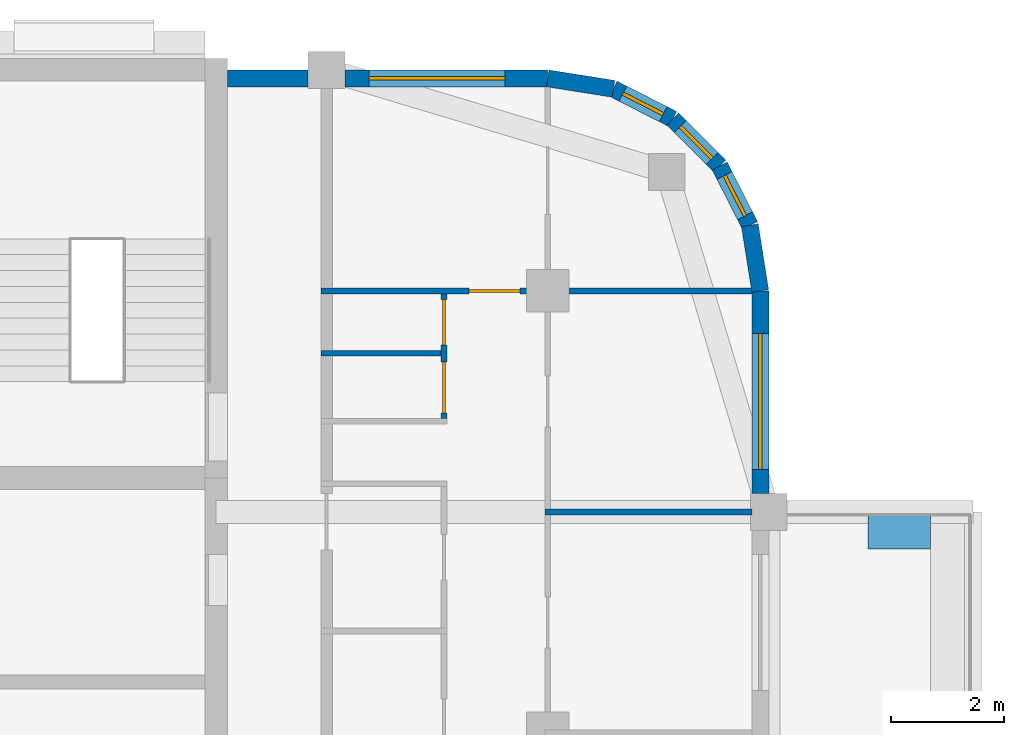
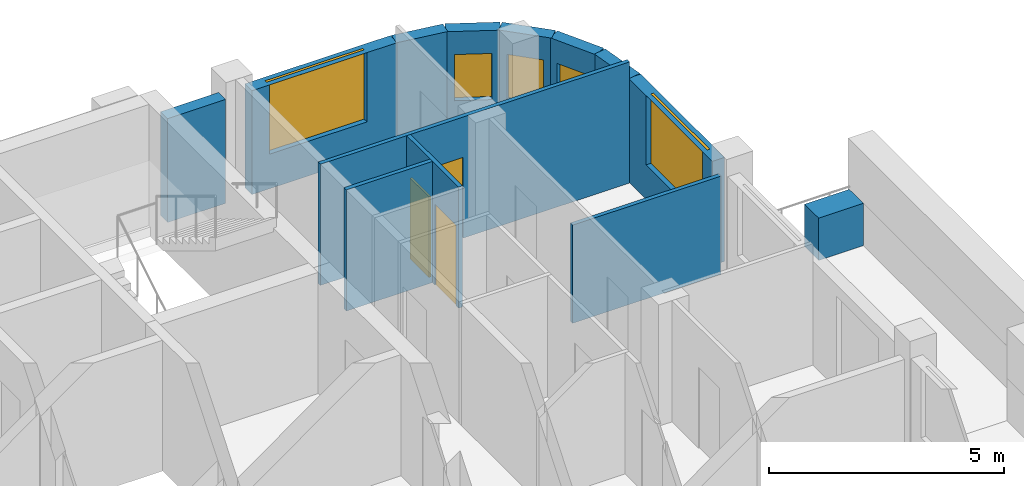
# One storey, part 9 of 13: 13 walls, 5 windows, 3 doors, 8 openings.
"""IFC4 building model written with IfcOpenShell, lengths in metres."""

from ifc_helpers import new_model, si_unit, direction, frame, frame_2d, origin, place, context, subcontext, project, spatial, rectangle, extrude, material, layer, layer_set, type_object, element, fill, save


model = new_model("IFC4")

# Units and contexts
model_context = context("Model", 3, precision=1e-05, world=origin(), true_north=direction((0.0, 1.0)))
body_context = subcontext(model_context, "Body", "Model", "MODEL_VIEW")
ifc_project = project(units=[si_unit("LENGTHUNIT", "METRE"), si_unit("AREAUNIT", "SQUARE_METRE"), si_unit("VOLUMEUNIT", "CUBIC_METRE"), si_unit("PLANEANGLEUNIT", "RADIAN"), si_unit("MASSUNIT", "GRAM", prefix="KILO")], contexts=[model_context])

# Site, building, storey
site_placement = place(None, origin())
site = spatial("IfcSite", under=ifc_project, at=site_placement, CompositionType="ELEMENT")
building_placement = place(site_placement, origin())
building = spatial("IfcBuilding", under=site, at=building_placement, Name="Ludao Terraces", CompositionType="ELEMENT")
storey_placement = place(building_placement, frame((0.0, 0.0, 252.800048828125)))
storey = spatial("IfcBuildingStorey", under=building, at=storey_placement, Name="L69", CompositionType="ELEMENT", Elevation=252.800048828125)

# Wall
ifc_material_1 = material(Name="Concrete C40", Category="concrete")
ifc_layer_1 = layer(ifc_material_1, 0.60009765625)
ifc_layer_set_1 = layer_set([ifc_layer_1], Name="ENV Planter trough 600")
wall_type_1 = type_object("IfcWallType", Name="ENV Planter trough 600", PredefinedType="USERDEFINED", material=ifc_layer_set_1)
wall_1_placement = place(storey_placement, frame((107.35009765625, 76.35009765625, 0.0), z_axis=(0.0, 0.0, 1.0), x_axis=(-1.0, 0.0, 0.0)))
element("IfcWall", 1, at=wall_1_placement, inside=storey, type_object=wall_type_1, Name="PL-L69-E3-SB", ObjectType="PLANTER", PredefinedType="USERDEFINED", context=body_context, shape_type="SweptSolid", body=[
    extrude(rectangle(XDim=1.10009765625, YDim=0.60009765625, at=frame_2d((0.550048828125, 0.0))), origin(), (0.0, 0.0, 1.0), 1.099853515625),
])

# Wall, opening, window
ifc_material_2 = material(Name="Granite cladding", Category="masonry")
ifc_layer_2 = layer(ifc_material_2, 0.0400390625, Category="stone")
ifc_material_3 = material(Name="Mineral wool")
ifc_layer_3 = layer(ifc_material_3, 0.06005859375)
ifc_layer_4 = layer(ifc_material_1, 0.199951171875, Category="concrete")
ifc_layer_set_2 = layer_set([ifc_layer_2, ifc_layer_3, ifc_layer_4], Name="ENV Stone-clad wall 300")
wall_type_2 = type_object("IfcWallType", Name="ENV Stone-clad wall 300", PredefinedType="SOLIDWALL", material=ifc_layer_set_2)
wall_2_placement = place(storey_placement, frame((104.35009765625, 77.02490234375, 0.0), z_axis=(0.0, 0.0, 1.0), x_axis=(0.0, 1.0, 0.0)))
wall_2 = element("IfcWall", 2, at=wall_2_placement, inside=storey, type_object=wall_type_2, Name="EW-L69-E5", PredefinedType="SOLIDWALL", context=body_context, shape_type="SweptSolid", body=[
    extrude(rectangle(XDim=3.5751953125, YDim=0.300048828125, at=frame_2d((1.78759765625, 0.0))), origin(), (0.0, 0.0, 1.0), 2.699951171875),
])
opening_1_placement = place(wall_2_placement, frame((0.425048828125, 0.0, 0.89990234375)))
opening_1 = element("IfcOpeningElement", 3, at=opening_1_placement, cuts=wall_2, Name="Opening W1", PredefinedType="OPENING", context=body_context, shape_type="SweptSolid", body=[
    extrude(rectangle(XDim=2.39990234375, YDim=1.800048828125, at=frame_2d((1.199951171875, 0.89990234375))), frame((0.0, 0.16015625, 0.0), z_axis=(0.0, -1.0, 0.0), x_axis=(1.0, 0.0, 0.0)), (0.0, 0.0, 1.0), 0.320068359375),
])
ifc_material_4 = material(Name="Clear glass in aluminium frame", Category="aluminium")
ifc_layer_5 = layer(ifc_material_4, 0.06005859375)
ifc_layer_set_3 = layer_set([ifc_layer_5], Name="ENV Window W1 2400x1800")
window_type_1 = type_object("IfcWindowType", Name="ENV Window W1 2400x1800", PartitioningType="DOUBLE_PANEL_VERTICAL", PredefinedType="WINDOW", material=ifc_layer_set_3)
window_1_placement = place(opening_1_placement, origin())
window_1 = element("IfcWindow", 4, at=window_1_placement, inside=storey, type_object=window_type_1, Name="W-L69-E5-1", OverallHeight=1.800048828125, OverallWidth=2.39990234375, PartitioningType="DOUBLE_PANEL_VERTICAL", PredefinedType="WINDOW", context=body_context, shape_type="SweptSolid", body=[
    extrude(rectangle(XDim=2.39990234375, YDim=1.800048828125, at=frame_2d((1.199951171875, 0.89990234375))), frame((0.0, 0.030029296875, 0.0), z_axis=(0.0, -1.0, 0.0), x_axis=(1.0, 0.0, 0.0)), (0.0, 0.0, 1.0), 0.06005859375),
])
fill(opening_1, window_1)

# Wall
wall_3_placement = place(storey_placement, frame((94.949951171875, 84.35009765625, 0.0), z_axis=(0.0, 0.0, 1.0), x_axis=(1.0, 0.0, 0.0)))
element("IfcWall", 5, at=wall_3_placement, inside=storey, type_object=wall_type_2, Name="EW-L69-N3", PredefinedType="SOLIDWALL", context=body_context, shape_type="SweptSolid", body=[
    extrude(rectangle(XDim=1.425048828125, YDim=0.300048828125, at=frame_2d((0.71240234375, 0.0))), origin(), (0.0, 0.0, 1.0), 2.699951171875),
])

# Wall, opening, window
wall_4_placement = place(storey_placement, frame((97.02490234375, 84.35009765625, 0.0), z_axis=(0.0, 0.0, 1.0), x_axis=(1.0, 0.0, 0.0)))
wall_4 = element("IfcWall", 6, at=wall_4_placement, inside=storey, type_object=wall_type_2, Name="EW-L69-N4", PredefinedType="SOLIDWALL", context=body_context, shape_type="SweptSolid", body=[
    extrude(rectangle(XDim=3.5751953125, YDim=0.300048828125, at=frame_2d((1.78759765625, 0.0))), origin(), (0.0, 0.0, 1.0), 2.699951171875),
])
opening_2_placement = place(wall_4_placement, frame((0.425048828125, 0.0, 0.89990234375)))
opening_2 = element("IfcOpeningElement", 7, at=opening_2_placement, cuts=wall_4, Name="Opening W1", PredefinedType="OPENING", context=body_context, shape_type="SweptSolid", body=[
    extrude(rectangle(XDim=2.39990234375, YDim=1.800048828125, at=frame_2d((1.199951171875, 0.89990234375))), frame((0.0, 0.16015625, 0.0), z_axis=(0.0, -1.0, 0.0), x_axis=(1.0, 0.0, 0.0)), (0.0, 0.0, 1.0), 0.320068359375),
])
window_2_placement = place(opening_2_placement, origin())
window_2 = element("IfcWindow", 8, at=window_2_placement, inside=storey, type_object=window_type_1, Name="W-L69-N4-1", OverallHeight=1.800048828125, OverallWidth=2.39990234375, PartitioningType="DOUBLE_PANEL_VERTICAL", PredefinedType="WINDOW", context=body_context, shape_type="SweptSolid", body=[
    extrude(rectangle(XDim=2.39990234375, YDim=1.800048828125, at=frame_2d((1.199951171875, 0.89990234375))), frame((0.0, 0.030029296875, 0.0), z_axis=(0.0, -1.0, 0.0), x_axis=(1.0, 0.0, 0.0)), (0.0, 0.0, 1.0), 0.06005859375),
])
fill(opening_2, window_2)

# Wall
wall_5_placement = place(storey_placement, frame((104.35009765625, 80.60009765625, 0.0), z_axis=(0.0, 0.0, 1.0), x_axis=(-0.156496880861, 0.987678452879, 0.0)))
element("IfcWall", 9, at=wall_5_placement, inside=storey, type_object=wall_type_2, Name="EW-L69-NE1", PredefinedType="SOLIDWALL", context=body_context, shape_type="SweptSolid", body=[
    extrude(rectangle(XDim=1.173095703125, YDim=0.300048828125, at=frame_2d((0.58642578125, 0.0))), origin(), (0.0, 0.0, 1.0), 2.699951171875),
])

# Wall, opening, window
wall_6_placement = place(storey_placement, frame((104.16650390625, 81.7587890625, 0.0), z_axis=(0.0, 0.0, 1.0), x_axis=(-0.454025524128, 0.890988677504, 0.0)))
wall_6 = element("IfcWall", 10, at=wall_6_placement, inside=storey, type_object=wall_type_2, Name="EW-L69-NE2", PredefinedType="SOLIDWALL", context=body_context, shape_type="SweptSolid", body=[
    extrude(rectangle(XDim=1.17333984375, YDim=0.300048828125, at=frame_2d((0.586669921875, 0.0))), origin(), (0.0, 0.0, 1.0), 2.699951171875),
])
opening_3_placement = place(wall_6_placement, frame((0.1865234375, 0.0, 0.89990234375)))
opening_3 = element("IfcOpeningElement", 11, at=opening_3_placement, cuts=wall_6, Name="Opening W3", PredefinedType="OPENING", context=body_context, shape_type="SweptSolid", body=[
    extrude(rectangle(XDim=0.800048828125, YDim=1.199951171875, at=frame_2d((0.39990234375, 0.60009765625))), frame((0.0, 0.16015625, 0.0), z_axis=(0.0, -1.0, 0.0), x_axis=(1.0, 0.0, 0.0)), (0.0, 0.0, 1.0), 0.320068359375),
])
ifc_layer_6 = layer(ifc_material_4, 0.06005859375)
ifc_layer_set_4 = layer_set([ifc_layer_6], Name="ENV Window W3 800x1200")
window_type_2 = type_object("IfcWindowType", Name="ENV Window W3 800x1200", PartitioningType="SINGLE_PANEL", PredefinedType="WINDOW", material=ifc_layer_set_4)
window_3_placement = place(opening_3_placement, origin())
window_3 = element("IfcWindow", 12, at=window_3_placement, inside=storey, type_object=window_type_2, Name="W-L69-NE2", OverallHeight=1.199951171875, OverallWidth=0.800048828125, PartitioningType="SINGLE_PANEL", PredefinedType="WINDOW", context=body_context, shape_type="SweptSolid", body=[
    extrude(rectangle(XDim=0.800048828125, YDim=1.199951171875, at=frame_2d((0.39990234375, 0.60009765625))), frame((0.0, 0.030029296875, 0.0), z_axis=(0.0, -1.0, 0.0), x_axis=(1.0, 0.0, 0.0)), (0.0, 0.0, 1.0), 0.06005859375),
])
fill(opening_3, window_3)

wall_7_placement = place(storey_placement, frame((103.6337890625, 82.80419921875, 0.0), z_axis=(0.0, 0.0, 1.0), x_axis=(-0.707106781187, 0.707106781187, 0.0)))
wall_7 = element("IfcWall", 13, at=wall_7_placement, inside=storey, type_object=wall_type_2, Name="EW-L69-NE3", PredefinedType="SOLIDWALL", context=body_context, shape_type="SweptSolid", body=[
    extrude(rectangle(XDim=1.173095703125, YDim=0.300048828125, at=frame_2d((0.58642578125, 0.0))), origin(), (0.0, 0.0, 1.0), 2.699951171875),
])
opening_4_placement = place(wall_7_placement, frame((0.1865234375, 0.0, 0.89990234375)))
opening_4 = element("IfcOpeningElement", 14, at=opening_4_placement, cuts=wall_7, Name="Opening W3", PredefinedType="OPENING", context=body_context, shape_type="SweptSolid", body=[
    extrude(rectangle(XDim=0.800048828125, YDim=1.199951171875, at=frame_2d((0.39990234375, 0.60009765625))), frame((0.0, 0.16015625, 0.0), z_axis=(0.0, -1.0, 0.0), x_axis=(1.0, 0.0, 0.0)), (0.0, 0.0, 1.0), 0.320068359375),
])
window_4_placement = place(opening_4_placement, origin())
window_4 = element("IfcWindow", 15, at=window_4_placement, inside=storey, type_object=window_type_2, Name="W-L69-NE3", OverallHeight=1.199951171875, OverallWidth=0.800048828125, PartitioningType="SINGLE_PANEL", PredefinedType="WINDOW", context=body_context, shape_type="SweptSolid", body=[
    extrude(rectangle(XDim=0.800048828125, YDim=1.199951171875, at=frame_2d((0.39990234375, 0.60009765625))), frame((0.0, 0.030029296875, 0.0), z_axis=(0.0, -1.0, 0.0), x_axis=(1.0, 0.0, 0.0)), (0.0, 0.0, 1.0), 0.06005859375),
])
fill(opening_4, window_4)

wall_8_placement = place(storey_placement, frame((102.80419921875, 83.6337890625, 0.0), z_axis=(0.0, 0.0, 1.0), x_axis=(-0.890988677504, 0.454025524128, 0.0)))
wall_8 = element("IfcWall", 16, at=wall_8_placement, inside=storey, type_object=wall_type_2, Name="EW-L69-NE4", PredefinedType="SOLIDWALL", context=body_context, shape_type="SweptSolid", body=[
    extrude(rectangle(XDim=1.17333984375, YDim=0.300048828125, at=frame_2d((0.586669921875, 0.0))), origin(), (0.0, 0.0, 1.0), 2.699951171875),
])
opening_5_placement = place(wall_8_placement, frame((0.1865234375, 0.0, 0.89990234375)))
opening_5 = element("IfcOpeningElement", 17, at=opening_5_placement, cuts=wall_8, Name="Opening W3", PredefinedType="OPENING", context=body_context, shape_type="SweptSolid", body=[
    extrude(rectangle(XDim=0.800048828125, YDim=1.199951171875, at=frame_2d((0.39990234375, 0.60009765625))), frame((0.0, 0.16015625, 0.0), z_axis=(0.0, -1.0, 0.0), x_axis=(1.0, 0.0, 0.0)), (0.0, 0.0, 1.0), 0.320068359375),
])
window_5_placement = place(opening_5_placement, origin())
window_5 = element("IfcWindow", 18, at=window_5_placement, inside=storey, type_object=window_type_2, Name="W-L69-NE4", OverallHeight=1.199951171875, OverallWidth=0.800048828125, PartitioningType="SINGLE_PANEL", PredefinedType="WINDOW", context=body_context, shape_type="SweptSolid", body=[
    extrude(rectangle(XDim=0.800048828125, YDim=1.199951171875, at=frame_2d((0.39990234375, 0.60009765625))), frame((0.0, 0.030029296875, 0.0), z_axis=(0.0, -1.0, 0.0), x_axis=(1.0, 0.0, 0.0)), (0.0, 0.0, 1.0), 0.06005859375),
])
fill(opening_5, window_5)

# Walls
wall_9_placement = place(storey_placement, frame((101.7587890625, 84.16650390625, 0.0), z_axis=(0.0, 0.0, 1.0), x_axis=(-0.987678452879, 0.156496880861, 0.0)))
element("IfcWall", 19, at=wall_9_placement, inside=storey, type_object=wall_type_2, Name="EW-L69-NE5", PredefinedType="SOLIDWALL", context=body_context, shape_type="SweptSolid", body=[
    extrude(rectangle(XDim=1.173095703125, YDim=0.300048828125, at=frame_2d((0.58642578125, 0.0))), origin(), (0.0, 0.0, 1.0), 2.699951171875),
])
ifc_material_5 = material(Name="Gypsum plasterboard", Category="gypsum")
ifc_layer_7 = layer(ifc_material_5, 0.012451171875, Category="gypsum")
ifc_layer_8 = layer(ifc_material_3, 0.06005859375, Name="insulation")
ifc_material_6 = material(Name="Steel Q235", Category="steel")
ifc_layer_9 = layer(ifc_material_6, 0.014892578125, Name="stud")
ifc_layer_10 = layer(ifc_material_5, 0.012451171875, Category="gypsum")
ifc_layer_set_5 = layer_set([ifc_layer_7, ifc_layer_8, ifc_layer_9, ifc_layer_10], Name="INT Partition 100")
wall_type_3 = type_object("IfcWallType", Name="INT Partition 100", PredefinedType="PARTITIONING", material=ifc_layer_set_5)
wall_10_placement = place(storey_placement, frame((100.550048828125, 76.699951171875, 0.0), z_axis=(0.0, 0.0, 1.0), x_axis=(1.0, 0.0, 0.0)))
element("IfcWall", 20, at=wall_10_placement, inside=storey, type_object=wall_type_3, Name="PW-L69-PW042", PredefinedType="PARTITIONING", context=body_context, shape_type="SweptSolid", body=[
    extrude(rectangle(XDim=3.650146484375, YDim=0.10009765625, at=frame_2d((1.8251953125, 0.0))), origin(), (0.0, 0.0, 1.0), 2.5498046875),
])
wall_11_placement = place(storey_placement, frame((96.60009765625, 79.5, 0.0), z_axis=(0.0, 0.0, 1.0), x_axis=(1.0, 0.0, 0.0)))
element("IfcWall", 21, at=wall_11_placement, inside=storey, type_object=wall_type_3, Name="PW-L69-PW047", PredefinedType="PARTITIONING", context=body_context, shape_type="SweptSolid", body=[
    extrude(rectangle(XDim=2.219970703125, YDim=0.10009765625, at=frame_2d((1.10986328125, 0.0))), origin(), (0.0, 0.0, 1.0), 3.14990234375),
])

# Wall, opening, door
wall_12_placement = place(storey_placement, frame((96.60009765625, 80.60009765625, 0.0), z_axis=(0.0, 0.0, 1.0), x_axis=(1.0, 0.0, 0.0)))
wall_12 = element("IfcWall", 22, at=wall_12_placement, inside=storey, type_object=wall_type_3, Name="PW-L69-PW049", PredefinedType="PARTITIONING", context=body_context, shape_type="SweptSolid", body=[
    extrude(rectangle(XDim=7.60009765625, YDim=0.10009765625, at=frame_2d((3.800048828125, 0.0))), origin(), (0.0, 0.0, 1.0), 3.14990234375),
])
opening_6_placement = place(wall_12_placement, frame((2.610107421875, 0.0, 0.0)))
opening_6 = element("IfcOpeningElement", 23, at=opening_6_placement, cuts=wall_12, Name="Opening R25-089", PredefinedType="OPENING", context=body_context, shape_type="SweptSolid", body=[
    extrude(rectangle(XDim=0.89990234375, YDim=2.10009765625, at=frame_2d((0.449951171875, 1.050048828125))), frame((0.0, 0.06005859375, 0.0), z_axis=(0.0, -1.0, 0.0), x_axis=(1.0, 0.0, 0.0)), (0.0, 0.0, 1.0), 0.1201171875),
])
ifc_material_7 = material(Name="Timber door leaf", Category="wood")
door_type_1 = type_object("IfcDoorType", Name="INT Room door 900", OperationType="SINGLE_SWING_LEFT", PredefinedType="DOOR", material=ifc_material_7)
door_1_placement = place(opening_6_placement, origin())
door_1 = element("IfcDoor", 24, at=door_1_placement, inside=storey, type_object=door_type_1, Name="DOOR 089", OperationType="SINGLE_SWING_RIGHT", OverallHeight=2.10009765625, OverallWidth=0.89990234375, PredefinedType="DOOR", context=body_context, shape_type="SweptSolid", body=[
    extrude(rectangle(XDim=0.89990234375, YDim=2.10009765625, at=frame_2d((0.449951171875, 1.050048828125))), frame((0.0, 0.02490234375, 0.0), z_axis=(0.0, -1.0, 0.0), x_axis=(1.0, 0.0, 0.0)), (0.0, 0.0, 1.0), 0.050048828125),
])
fill(opening_6, door_1)

# Wall, openings, doors
wall_13_placement = place(storey_placement, frame((98.77001953125, 78.35009765625, 0.0), z_axis=(0.0, 0.0, 1.0), x_axis=(0.0, 1.0, 0.0)))
wall_13 = element("IfcWall", 25, at=wall_13_placement, inside=storey, type_object=wall_type_3, Name="PW-L69-PW064", PredefinedType="PARTITIONING", context=body_context, shape_type="SweptSolid", body=[
    extrude(rectangle(XDim=2.199951171875, YDim=0.10009765625, at=frame_2d((1.10009765625, 0.0))), origin(), (0.0, 0.0, 1.0), 3.14990234375),
])
opening_7_placement = place(wall_13_placement, frame((0.10009765625, 0.0, 0.0)))
opening_7 = element("IfcOpeningElement", 26, at=opening_7_placement, cuts=wall_13, Name="Opening R25-082", PredefinedType="OPENING", context=body_context, shape_type="SweptSolid", body=[
    extrude(rectangle(XDim=0.89990234375, YDim=2.10009765625, at=frame_2d((0.449951171875, 1.050048828125))), frame((0.0, 0.06005859375, 0.0), z_axis=(0.0, -1.0, 0.0), x_axis=(1.0, 0.0, 0.0)), (0.0, 0.0, 1.0), 0.1201171875),
])
opening_8_placement = place(wall_13_placement, frame((1.300048828125, 0.0, 0.0)))
opening_8 = element("IfcOpeningElement", 27, at=opening_8_placement, cuts=wall_13, Name="Opening R25-085", PredefinedType="OPENING", context=body_context, shape_type="SweptSolid", body=[
    extrude(rectangle(XDim=0.800048828125, YDim=2.10009765625, at=frame_2d((0.39990234375, 1.050048828125))), frame((0.0, 0.06005859375, 0.0), z_axis=(0.0, -1.0, 0.0), x_axis=(1.0, 0.0, 0.0)), (0.0, 0.0, 1.0), 0.1201171875),
])
door_type_2 = type_object("IfcDoorType", Name="INT Bathroom door 900", OperationType="SINGLE_SWING_LEFT", PredefinedType="DOOR", material=ifc_material_7)
door_2_placement = place(opening_7_placement, origin())
door_2 = element("IfcDoor", 28, at=door_2_placement, inside=storey, type_object=door_type_2, Name="DOOR 082", OperationType="SINGLE_SWING_LEFT", OverallHeight=2.10009765625, OverallWidth=0.89990234375, PredefinedType="DOOR", context=body_context, shape_type="SweptSolid", body=[
    extrude(rectangle(XDim=0.89990234375, YDim=2.10009765625, at=frame_2d((0.449951171875, 1.050048828125))), frame((0.0, 0.02490234375, 0.0), z_axis=(0.0, -1.0, 0.0), x_axis=(1.0, 0.0, 0.0)), (0.0, 0.0, 1.0), 0.050048828125),
])
fill(opening_7, door_2)
door_type_3 = type_object("IfcDoorType", Name="INT Store door 800", OperationType="SINGLE_SWING_LEFT", PredefinedType="DOOR", material=ifc_material_7)
door_3_placement = place(opening_8_placement, origin())
door_3 = element("IfcDoor", 29, at=door_3_placement, inside=storey, type_object=door_type_3, Name="DOOR 085", OperationType="SINGLE_SWING_RIGHT", OverallHeight=2.10009765625, OverallWidth=0.800048828125, PredefinedType="DOOR", context=body_context, shape_type="SweptSolid", body=[
    extrude(rectangle(XDim=0.800048828125, YDim=2.10009765625, at=frame_2d((0.39990234375, 1.050048828125))), frame((0.0, 0.02490234375, 0.0), z_axis=(0.0, -1.0, 0.0), x_axis=(1.0, 0.0, 0.0)), (0.0, 0.0, 1.0), 0.050048828125),
])
fill(opening_8, door_3)

save(model, "model.ifc")
